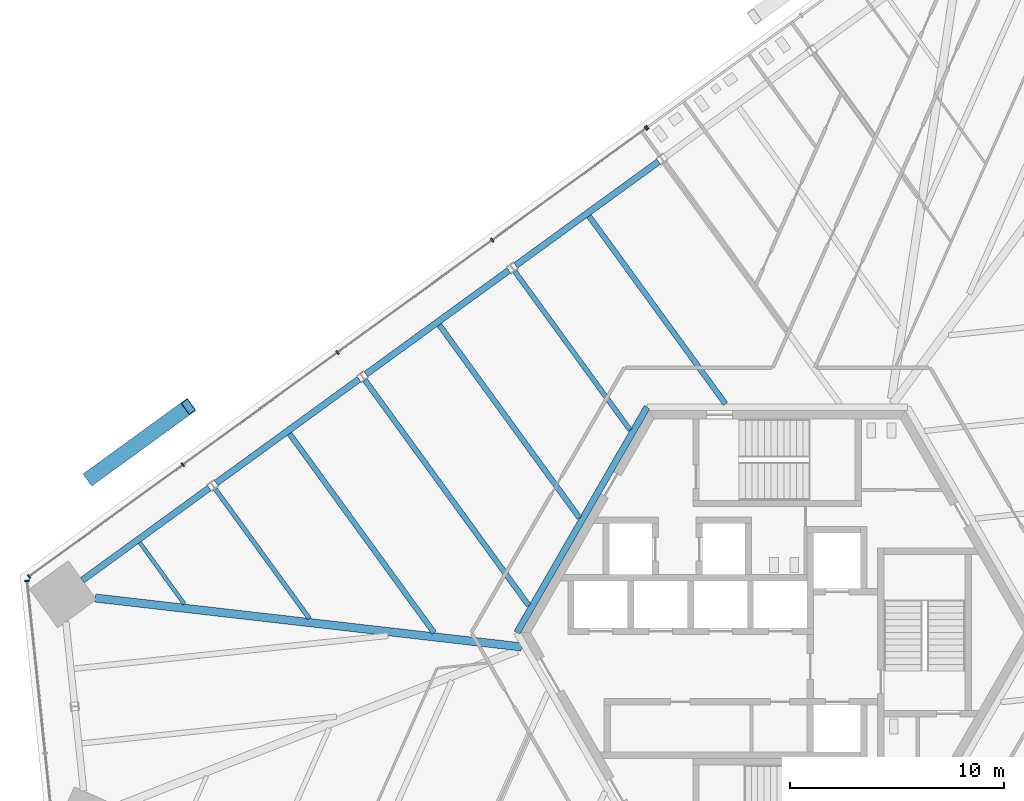
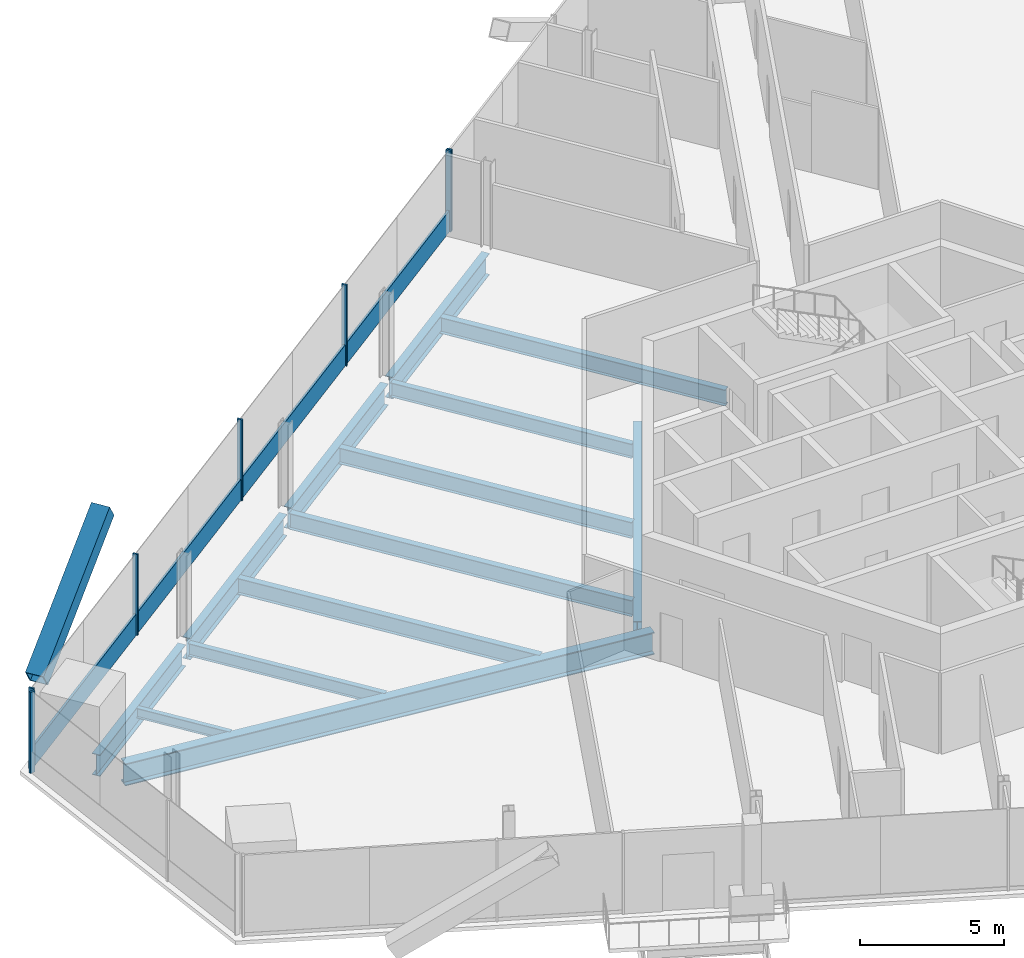
# One storey, part 7 of 17: 13 beams, 12 members, 3 elements without a shape of their own.
"""IFC4 building model written with IfcOpenShell, lengths in metres."""

from ifc_helpers import new_model, si_unit, direction, frame, origin, origin_2d, place, context, subcontext, project, spatial, rectangle, hollow_rectangle, i_section, extrude, source, transform, mapped, material, material_profile, profile_set, type_object, element, aggregate, save


model = new_model("IFC4")

# Units and contexts
model_context = context("Model", 3, precision=1e-05, world=origin(), true_north=direction((0.0, 1.0)))
body_context = subcontext(model_context, "Body", "Model", "MODEL_VIEW")
ifc_project = project(units=[si_unit("LENGTHUNIT", "METRE"), si_unit("AREAUNIT", "SQUARE_METRE"), si_unit("VOLUMEUNIT", "CUBIC_METRE"), si_unit("PLANEANGLEUNIT", "RADIAN"), si_unit("MASSUNIT", "GRAM", prefix="KILO")], contexts=[model_context])

# Site, building, storey
site_placement = place(None, origin())
site = spatial("IfcSite", under=ifc_project, at=site_placement, CompositionType="ELEMENT")
building_placement = place(site_placement, origin())
building = spatial("IfcBuilding", under=site, at=building_placement, Name="Triune Harvest Tower", CompositionType="ELEMENT")
storey_placement = place(building_placement, frame((0.0, 0.0, 62.10009765625)))
storey = spatial("IfcBuildingStorey", under=building, at=storey_placement, Name="L14", CompositionType="ELEMENT", Elevation=62.10009765625)

# Beams
ifc_material_1 = material(Name="Steel ASTM A992 Gr 50", Category="steel")
ifc_material_profile_1 = material_profile(ifc_material_1, i_section(OverallWidth=0.3046875, OverallDepth=0.914306640625, WebThickness=0.0166015625, FlangeThickness=0.02587890625, at=origin_2d()), Name="W36x160")
ifc_profile_set_1 = profile_set([ifc_material_profile_1], Name="Steel ASTM A992 Gr 50")
beam_type_1 = type_object("IfcBeamType", Name="CG-1 Core ring girder W36x160", PredefinedType="BEAM", material=ifc_profile_set_1)
shared_shape_1 = source(origin(), body_context, "Body", "SweptSolid", [
    extrude(i_section(OverallWidth=0.3046875, OverallDepth=0.914306640625, WebThickness=0.0166015625, FlangeThickness=0.02587890625, at=origin_2d()), origin(), (0.0, 0.0, 1.0), 12.176025390625),
])
beam_1_placement = place(storey_placement, frame((-6.087890625, 10.544677734375, -0.6171875), z_axis=(-0.5000099932, -0.866019634131, 0.0), x_axis=(0.866019634131, -0.5000099932, 0.0)))
element("IfcBeam", 1, at=beam_1_placement, inside=storey, type_object=beam_type_1, Name="beam/L14/CG3", PredefinedType="BEAM", context=body_context, shape_type="MappedRepresentation", body=[
    mapped(shared_shape_1, transform((0.0, 0.0, 0.0), scale=1.0)),
])
ifc_material_2 = material(Name="Steel ASTM A992 Gr 50", Category="steel")
ifc_material_profile_2 = material_profile(ifc_material_2, i_section(OverallWidth=0.3046875, OverallDepth=0.914306640625, WebThickness=0.0166015625, FlangeThickness=0.02587890625, at=origin_2d()), Name="W36x160")
ifc_profile_set_2 = profile_set([ifc_material_profile_2], Name="Steel ASTM A992 Gr 50")
beam_type_2 = type_object("IfcBeamType", Name="SB-1 Spandrel beam W36x160", PredefinedType="SPANDREL", material=ifc_profile_set_2)
shared_shape_2 = source(origin(), body_context, "Body", "SweptSolid", [
    extrude(i_section(OverallWidth=0.3046875, OverallDepth=0.914306640625, WebThickness=0.0166015625, FlangeThickness=0.02587890625, at=origin_2d()), origin(), (0.0, 0.0, 1.0), 7.337890625),
])
beam_2_placement = place(storey_placement, frame((-26.574951171875, 6.763916015625, -0.6171875), z_axis=(-0.80902661548, -0.58777200975, 0.0), x_axis=(0.58777200975, -0.80902661548, 0.0)))
element("IfcBeam", 2, at=beam_2_placement, inside=storey, type_object=beam_type_2, Name="beam/L14/SB14", PredefinedType="SPANDREL", context=body_context, shape_type="MappedRepresentation", body=[
    mapped(shared_shape_2, transform((0.0, 0.0, 0.0), scale=1.0)),
])
shared_shape_3 = source(origin(), body_context, "Body", "SweptSolid", [
    extrude(i_section(OverallWidth=0.3046875, OverallDepth=0.914306640625, WebThickness=0.0166015625, FlangeThickness=0.02587890625, at=origin_2d()), origin(), (0.0, 0.0, 1.0), 8.263427734375),
])
for number, where, z_axis, x_axis, name in (
    (3, (-5.55126953125, 22.03857421875, -0.6171875), (-0.809015786763, -0.587786914424, 0.0), (0.587786914424, -0.809015786763, 0.0), "beam/L14/SB11"),
    (4, (-12.55908203125, 16.947021484375, -0.6171875), (-0.809015786763, -0.587786914424, 0.0), (0.587786914424, -0.809015786763, 0.0), "beam/L14/SB12"),
    (5, (-19.56689453125, 11.85546875, -0.6171875), (-0.809015786763, -0.587786914424, 0.0), (0.587786914424, -0.809015786763, 0.0), "beam/L14/SB13"),
):
    element("IfcBeam", number, at=place(storey_placement, frame(where, z_axis=z_axis, x_axis=x_axis)), inside=storey, type_object=beam_type_2, Name=name, PredefinedType="SPANDREL", context=body_context, shape_type="MappedRepresentation", body=[
        mapped(shared_shape_3, transform((0.0, 0.0, 0.0), scale=1.0)),
    ])
ifc_material_3 = material(Name="Steel ASTM A992 Gr 50", Category="steel")
ifc_material_profile_3 = material_profile(ifc_material_3, i_section(OverallWidth=0.383544921875, OverallDepth=0.9423828125, WebThickness=0.022216796875, FlangeThickness=0.039794921875, at=origin_2d()), Name="W36x232")
ifc_profile_set_3 = profile_set([ifc_material_profile_3], Name="Steel ASTM A992 Gr 50")
beam_type_3 = type_object("IfcBeamType", Name="HG-1 Hip girder W36x232", PredefinedType="BEAM", material=ifc_profile_set_3)
shared_shape_4 = source(origin(), body_context, "Body", "SweptSolid", [
    extrude(i_section(OverallWidth=0.383544921875, OverallDepth=0.9423828125, WebThickness=0.022216796875, FlangeThickness=0.039794921875, at=origin_2d()), origin(), (0.0, 0.0, 1.0), 20.070556640625),
])
beam_3_placement = place(storey_placement, frame((-31.904541015625, 1.61572265625, -0.63134765625), z_axis=(0.993487545287, -0.113940762503, 0.0), x_axis=(0.113940762503, 0.993487545287, 0.0)))
element("IfcBeam", 6, at=beam_3_placement, inside=storey, type_object=beam_type_3, Name="beam/L14/HG5", PredefinedType="BEAM", context=body_context, shape_type="MappedRepresentation", body=[
    mapped(shared_shape_4, transform((0.0, 0.0, 0.0), scale=1.0)),
])
ifc_material_4 = material(Name="Steel ASTM A992 Gr 50", Category="steel")
ifc_material_profile_4 = material_profile(ifc_material_4, i_section(OverallWidth=0.22900390625, OverallDepth=0.612060546875, WebThickness=0.011962890625, FlangeThickness=0.01953125, at=origin_2d()), Name="W24x84")
ifc_profile_set_4 = profile_set([ifc_material_profile_4], Name="Steel ASTM A992 Gr 50")
beam_type_4 = type_object("IfcBeamType", Name="JT-3 Floor joist W24x84", PredefinedType="JOIST", material=ifc_profile_set_4)
shared_shape_5 = source(origin(), body_context, "Body", "SweptSolid", [
    extrude(i_section(OverallWidth=0.22900390625, OverallDepth=0.612060546875, WebThickness=0.011962890625, FlangeThickness=0.01953125, at=origin_2d()), origin(), (0.0, 0.0, 1.0), 9.186279296875),
])
beam_4_placement = place(storey_placement, frame((-12.2822265625, 16.905029296875, -0.46630859375), z_axis=(0.58779079947, -0.809012964085, 0.0), x_axis=(0.809012964085, 0.58779079947, 0.0)))
element("IfcBeam", 7, at=beam_4_placement, inside=storey, type_object=beam_type_4, Name="beam/L14/JT19", PredefinedType="JOIST", context=body_context, shape_type="MappedRepresentation", body=[
    mapped(shared_shape_5, transform((0.0, 0.0, 0.0), scale=1.0)),
])
ifc_material_5 = material(Name="Steel ASTM A992 Gr 50", Category="steel")
ifc_material_profile_5 = material_profile(ifc_material_5, i_section(OverallWidth=0.253662109375, OverallDepth=0.683349609375, WebThickness=0.012451171875, FlangeThickness=0.01904296875, at=origin_2d()), Name="W27x94")
ifc_profile_set_5 = profile_set([ifc_material_profile_5], Name="Steel ASTM A992 Gr 50")
beam_type_5 = type_object("IfcBeamType", Name="JT-4 Floor joist W27x94", PredefinedType="JOIST", material=ifc_profile_set_5)
shared_shape_6 = source(origin(), body_context, "Body", "SweptSolid", [
    extrude(i_section(OverallWidth=0.253662109375, OverallDepth=0.683349609375, WebThickness=0.012451171875, FlangeThickness=0.01904296875, at=origin_2d()), origin(), (0.0, 0.0, 1.0), 11.158935546875),
])
beam_5_placement = place(storey_placement, frame((-15.812255859375, 14.395263671875, -0.501708984375), z_axis=(0.58778396925, -0.809017926558, 0.0), x_axis=(0.809017926558, 0.58778396925, 0.0)))
element("IfcBeam", 8, at=beam_5_placement, inside=storey, type_object=beam_type_5, Name="beam/L14/JT20", PredefinedType="JOIST", context=body_context, shape_type="MappedRepresentation", body=[
    mapped(shared_shape_6, transform((0.0, 0.0, 0.0), scale=1.0)),
])
shared_shape_7 = source(origin(), body_context, "Body", "SweptSolid", [
    extrude(i_section(OverallWidth=0.253662109375, OverallDepth=0.683349609375, WebThickness=0.012451171875, FlangeThickness=0.01904296875, at=origin_2d()), origin(), (0.0, 0.0, 1.0), 10.86474609375),
])
beam_6_placement = place(storey_placement, frame((-8.804443359375, 19.48681640625, -0.501708984375), z_axis=(0.587789508047, -0.809013902371, 0.0), x_axis=(0.809013902371, 0.587789508047, 0.0)))
element("IfcBeam", 9, at=beam_6_placement, inside=storey, type_object=beam_type_5, Name="beam/L14/JT18", PredefinedType="JOIST", context=body_context, shape_type="MappedRepresentation", body=[
    mapped(shared_shape_7, transform((0.0, 0.0, 0.0), scale=1.0)),
])
shared_shape_8 = source(origin(), body_context, "Body", "SweptSolid", [
    extrude(i_section(OverallWidth=0.253662109375, OverallDepth=0.683349609375, WebThickness=0.012451171875, FlangeThickness=0.01904296875, at=origin_2d()), origin(), (0.0, 0.0, 1.0), 13.042724609375),
])
beam_7_placement = place(storey_placement, frame((-19.2900390625, 11.8134765625, -0.501708984375), z_axis=(0.587795444635, -0.809009589107, 0.0), x_axis=(0.809009589107, 0.587795444635, 0.0)))
element("IfcBeam", 10, at=beam_7_placement, inside=storey, type_object=beam_type_5, Name="beam/L14/JT21", PredefinedType="JOIST", context=body_context, shape_type="MappedRepresentation", body=[
    mapped(shared_shape_8, transform((0.0, 0.0, 0.0), scale=1.0)),
])
shared_shape_9 = source(origin(), body_context, "Body", "SweptSolid", [
    extrude(i_section(OverallWidth=0.253662109375, OverallDepth=0.683349609375, WebThickness=0.012451171875, FlangeThickness=0.01904296875, at=origin_2d()), origin(), (0.0, 0.0, 1.0), 11.511474609375),
])
beam_8_placement = place(storey_placement, frame((-22.820068359375, 9.3037109375, -0.501708984375), z_axis=(0.587775656534, -0.809023966015, 0.0), x_axis=(0.809023966015, 0.587775656534, 0.0)))
element("IfcBeam", 11, at=beam_8_placement, inside=storey, type_object=beam_type_5, Name="beam/L14/JT22", PredefinedType="JOIST", context=body_context, shape_type="MappedRepresentation", body=[
    mapped(shared_shape_9, transform((0.0, 0.0, 0.0), scale=1.0)),
])
ifc_material_6 = material(Name="Steel ASTM A992 Gr 50", Category="steel")
ifc_material_profile_6 = material_profile(ifc_material_6, i_section(OverallWidth=0.2099609375, OverallDepth=0.535888671875, WebThickness=0.010986328125, FlangeThickness=0.017333984375, at=origin_2d()), Name="W21x68")
ifc_profile_set_6 = profile_set([ifc_material_profile_6], Name="Steel ASTM A992 Gr 50")
beam_type_6 = type_object("IfcBeamType", Name="JT-2 Floor joist W21x68", PredefinedType="JOIST", material=ifc_profile_set_6)
shared_shape_10 = source(origin(), body_context, "Body", "SweptSolid", [
    extrude(i_section(OverallWidth=0.2099609375, OverallDepth=0.535888671875, WebThickness=0.010986328125, FlangeThickness=0.017333984375, at=origin_2d()), origin(), (0.0, 0.0, 1.0), 7.4921875),
])
beam_9_placement = place(storey_placement, frame((-26.2978515625, 6.721923828125, -0.427978515625), z_axis=(0.587787996274, -0.809015000748, 0.0), x_axis=(0.809015000748, 0.587787996274, 0.0)))
element("IfcBeam", 12, at=beam_9_placement, inside=storey, type_object=beam_type_6, Name="beam/L14/JT23", PredefinedType="JOIST", context=body_context, shape_type="MappedRepresentation", body=[
    mapped(shared_shape_10, transform((0.0, 0.0, 0.0), scale=1.0)),
])
ifc_material_7 = material(Name="Steel ASTM A992 Gr 50", Category="steel")
ifc_material_profile_7 = material_profile(ifc_material_7, i_section(OverallWidth=0.180908203125, OverallDepth=0.41650390625, WebThickness=0.010986328125, FlangeThickness=0.01806640625, at=origin_2d()), Name="W16x57")
ifc_profile_set_7 = profile_set([ifc_material_profile_7], Name="Steel ASTM A992 Gr 50")
beam_type_7 = type_object("IfcBeamType", Name="JT-1 Floor joist W16x57", PredefinedType="JOIST", material=ifc_profile_set_7)
shared_shape_11 = source(origin(), body_context, "Body", "SweptSolid", [
    extrude(i_section(OverallWidth=0.180908203125, OverallDepth=0.41650390625, WebThickness=0.010986328125, FlangeThickness=0.01806640625, at=origin_2d()), origin(), (0.0, 0.0, 1.0), 3.561767578125),
])
beam_10_placement = place(storey_placement, frame((-29.827880859375, 4.212158203125, -0.368408203125), z_axis=(0.587768138852, -0.80902942774, 0.0), x_axis=(0.80902942774, 0.587768138852, 0.0)))
element("IfcBeam", 13, at=beam_10_placement, inside=storey, type_object=beam_type_7, Name="beam/L14/JT24", PredefinedType="JOIST", context=body_context, shape_type="MappedRepresentation", body=[
    mapped(shared_shape_11, transform((0.0, 0.0, 0.0), scale=1.0)),
])

# Member
ifc_material_8 = material(Name="Steel ASTM A572 Gr 50", Category="steel")
ifc_material_profile_8 = material_profile(ifc_material_8, hollow_rectangle(XDim=0.699951171875, YDim=0.699951171875, WallThickness=0.0400390625, at=origin_2d()), Name="Box 700x700x40")
ifc_profile_set_8 = profile_set([ifc_material_profile_8], Name="Steel ASTM A572 Gr 50")
member_type_1 = type_object("IfcMemberType", Name="BR-1 Brace Box 700x700x40", PredefinedType="BRACE", material=ifc_profile_set_8)
shared_shape_12 = source(origin(), body_context, "Body", "SweptSolid", [
    extrude(hollow_rectangle(XDim=0.699951171875, YDim=0.699951171875, WallThickness=0.0400390625, at=origin_2d()), origin(), (0.0, 0.0, 1.0), 6.7021484375),
])
member_1_placement = place(storey_placement, frame((-32.127197265625, 7.248291015625, 0.0), z_axis=(0.682416282299, 0.495802712628, 0.537110498692), x_axis=(-0.587783903514, 0.809017974318, 0.0)))
element("IfcMember", 14, at=member_1_placement, inside=storey, type_object=member_type_1, Name="brace/B2-F3/d2/2", PredefinedType="BRACE", context=body_context, shape_type="MappedRepresentation", body=[
    mapped(shared_shape_12, transform((0.0, 0.0, 0.0), scale=1.0)),
])

# Curtain wall, member
ifc_material_9 = material(Name="Aluminium bronze anodised", Category="aluminium")
curtain_wall_type_1 = type_object("IfcCurtainWallType", Name="CW-7 Tower stick curtain wall with insulated spandrel infill", PredefinedType="NOTDEFINED", material=ifc_material_9)
curtain_wall_1_placement = place(storey_placement, origin())
curtain_wall_1 = element("IfcCurtainWall", 15, at=curtain_wall_1_placement, inside=storey, type_object=curtain_wall_type_1, Name="CW-7 B2-F3 L14 run 1")
ifc_material_10 = material(Name="Aluminium bronze anodised", Category="aluminium")
ifc_material_profile_9 = material_profile(ifc_material_10, rectangle(XDim=0.199951171875, YDim=0.074951171875, at=origin_2d()), Name="MU-1 mullion 75 x 200")
ifc_profile_set_9 = profile_set([ifc_material_profile_9], Name="Aluminium bronze anodised")
member_type_2 = type_object("IfcMemberType", Name="MU-1 mullion 75 x 200", PredefinedType="MULLION", material=ifc_profile_set_9)
shared_shape_13 = source(origin(), body_context, "Body", "SweptSolid", [
    extrude(rectangle(XDim=0.199951171875, YDim=0.074951171875, at=origin_2d()), origin(), (0.0, 0.0, 1.0), 3.43994140625),
])
member_2_placement = place(storey_placement, frame((-6.07763671875, 23.640380859375, 0.0), z_axis=(0.0, 0.0, 1.0), x_axis=(0.587783213644, -0.809018475536, 0.0)))
member_2 = element("IfcMember", 16, at=member_2_placement, type_object=member_type_2, Name="CW-7 mullion B2-F3 1.5", PredefinedType="MULLION", context=body_context, shape_type="MappedRepresentation", body=[
    mapped(shared_shape_13, transform((0.0, 0.0, 0.0), scale=1.0)),
])
aggregate(curtain_wall_1, [member_2])

# Curtain wall, members
ifc_material_11 = material(Name="Aluminium bronze anodised", Category="aluminium")
curtain_wall_type_2 = type_object("IfcCurtainWallType", Name="CW-1 Tower stick curtain wall", PredefinedType="NOTDEFINED", material=ifc_material_11)
curtain_wall_2_placement = place(storey_placement, origin())
curtain_wall_2 = element("IfcCurtainWall", 17, at=curtain_wall_2_placement, inside=storey, type_object=curtain_wall_type_2, Name="CW-1 B2-F3 L14 run 1001")
member_3_placement = place(storey_placement, frame((-6.13818359375, 23.596435546875, 0.0), z_axis=(0.0, 0.0, 1.0), x_axis=(0.587786232249, -0.809016282394, 0.0)))
member_3 = element("IfcMember", 18, at=member_3_placement, type_object=member_type_2, Name="CW-1 mullion B2-F3 1001.1", PredefinedType="MULLION", context=body_context, shape_type="MappedRepresentation", body=[
    mapped(shared_shape_13, transform((0.0, 0.0, 0.0), scale=1.0)),
])
member_4_placement = place(storey_placement, frame((-13.34130859375, 18.363037109375, 0.0), z_axis=(0.0, 0.0, 1.0), x_axis=(0.587786232249, -0.809016282394, 0.0)))
member_4 = element("IfcMember", 19, at=member_4_placement, type_object=member_type_2, Name="CW-1 mullion B2-F3 1001.3", PredefinedType="MULLION", context=body_context, shape_type="MappedRepresentation", body=[
    mapped(shared_shape_13, transform((0.0, 0.0, 0.0), scale=1.0)),
])
member_5_placement = place(storey_placement, frame((-20.574951171875, 13.107421875, 0.0), z_axis=(0.0, 0.0, 1.0), x_axis=(0.587786232249, -0.809016282394, 0.0)))
member_5 = element("IfcMember", 20, at=member_5_placement, type_object=member_type_2, Name="CW-1 mullion B2-F3 1001.5", PredefinedType="MULLION", context=body_context, shape_type="MappedRepresentation", body=[
    mapped(shared_shape_13, transform((0.0, 0.0, 0.0), scale=1.0)),
])
member_6_placement = place(storey_placement, frame((-27.808349609375, 7.85205078125, 0.0), z_axis=(0.0, 0.0, 1.0), x_axis=(0.587786232249, -0.809016282394, 0.0)))
member_6 = element("IfcMember", 21, at=member_6_placement, type_object=member_type_2, Name="CW-1 mullion B2-F3 1001.7", PredefinedType="MULLION", context=body_context, shape_type="MappedRepresentation", body=[
    mapped(shared_shape_13, transform((0.0, 0.0, 0.0), scale=1.0)),
])
member_7_placement = place(storey_placement, frame((-35.01171875, 2.61865234375, 0.0), z_axis=(0.0, 0.0, 1.0), x_axis=(0.587786232249, -0.809016282394, 0.0)))
member_7 = element("IfcMember", 22, at=member_7_placement, type_object=member_type_2, Name="CW-1 mullion B2-F3 1001.9", PredefinedType="MULLION", context=body_context, shape_type="MappedRepresentation", body=[
    mapped(shared_shape_13, transform((0.0, 0.0, 0.0), scale=1.0)),
])

# Curtain wall, member
curtain_wall_3_placement = place(storey_placement, origin())
curtain_wall_3 = element("IfcCurtainWall", 23, at=curtain_wall_3_placement, inside=storey, type_object=curtain_wall_type_2, Name="CW-1 B2-F4 L14 run 1")
member_8_placement = place(storey_placement, frame((-35.1015625, 2.416748046875, 0.0), z_axis=(0.0, 0.0, 1.0), x_axis=(0.994521790334, 0.104529462601, 0.0)))
member_8 = element("IfcMember", 24, at=member_8_placement, type_object=member_type_2, Name="CW-1 mullion B2-F4 1.1", PredefinedType="MULLION", context=body_context, shape_type="MappedRepresentation", body=[
    mapped(shared_shape_13, transform((0.0, 0.0, 0.0), scale=1.0)),
])
aggregate(curtain_wall_3, [member_8])

# Member
ifc_material_12 = material(Name="Aluminium bronze anodised", Category="aluminium")
ifc_material_profile_10 = material_profile(ifc_material_12, rectangle(XDim=0.090087890625, YDim=0.89990234375, at=origin_2d()), Name="TR-1 transom 90 x 900")
ifc_profile_set_10 = profile_set([ifc_material_profile_10], Name="Aluminium bronze anodised")
member_type_3 = type_object("IfcMemberType", Name="TR-1 transom 90 x 900", PredefinedType="USERDEFINED", material=ifc_profile_set_10)
shared_shape_14 = source(origin(), body_context, "Body", "SweptSolid", [
    extrude(rectangle(XDim=0.090087890625, YDim=0.89990234375, at=origin_2d()), origin(), (0.0, 0.0, 1.0), 8.82861328125),
])
member_9_placement = place(storey_placement, frame((-6.16845703125, 23.57421875, 0.449951171875), z_axis=(-0.809026570054, -0.587772072276, 0.0), x_axis=(0.587772072276, -0.809026570054, 0.0)))
member_9 = element("IfcMember", 25, at=member_9_placement, type_object=member_type_3, Name="CW-1 transom B2-F3 1001.1", ObjectType="TRANSOM", PredefinedType="USERDEFINED", context=body_context, shape_type="MappedRepresentation", body=[
    mapped(shared_shape_14, transform((0.0, 0.0, 0.0), scale=1.0)),
])

shared_shape_15 = source(origin(), body_context, "Body", "SweptSolid", [
    extrude(rectangle(XDim=0.090087890625, YDim=0.89990234375, at=origin_2d()), origin(), (0.0, 0.0, 1.0), 8.828369140625),
])
member_10_placement = place(storey_placement, frame((-27.8388671875, 7.829833984375, 0.449951171875), z_axis=(-0.809017016162, -0.587785222305, 0.0), x_axis=(0.587785222305, -0.809017016162, 0.0)))
member_10 = element("IfcMember", 26, at=member_10_placement, type_object=member_type_3, Name="CW-1 transom B2-F3 1001.4", ObjectType="TRANSOM", PredefinedType="USERDEFINED", context=body_context, shape_type="MappedRepresentation", body=[
    mapped(shared_shape_15, transform((0.0, 0.0, 0.0), scale=1.0)),
])

shared_shape_16 = source(origin(), body_context, "Body", "SweptSolid", [
    extrude(rectangle(XDim=0.090087890625, YDim=0.89990234375, at=origin_2d()), origin(), (0.0, 0.0, 1.0), 8.8662109375),
])
member_11_placement = place(storey_placement, frame((-13.371826171875, 18.3408203125, 0.449951171875), z_axis=(-0.809014630499, -0.587788505875, 0.0), x_axis=(0.587788505875, -0.809014630499, 0.0)))
member_11 = element("IfcMember", 27, at=member_11_placement, type_object=member_type_3, Name="CW-1 transom B2-F3 1001.2", ObjectType="TRANSOM", PredefinedType="USERDEFINED", context=body_context, shape_type="MappedRepresentation", body=[
    mapped(shared_shape_16, transform((0.0, 0.0, 0.0), scale=1.0)),
])

member_12_placement = place(storey_placement, frame((-20.605224609375, 13.08544921875, 0.449951171875), z_axis=(-0.809014630499, -0.587788505875, 0.0), x_axis=(0.587788505875, -0.809014630499, 0.0)))
member_12 = element("IfcMember", 28, at=member_12_placement, type_object=member_type_3, Name="CW-1 transom B2-F3 1001.3", ObjectType="TRANSOM", PredefinedType="USERDEFINED", context=body_context, shape_type="MappedRepresentation", body=[
    mapped(shared_shape_16, transform((0.0, 0.0, 0.0), scale=1.0)),
])

aggregate(curtain_wall_2, [member_3, member_4, member_5, member_6, member_7, member_9, member_11, member_12, member_10])

save(model, "model.ifc")
